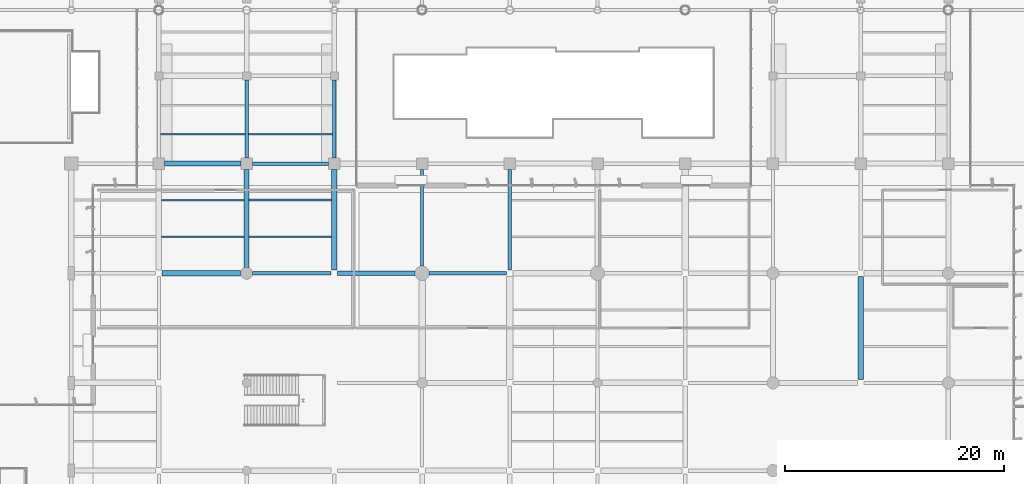
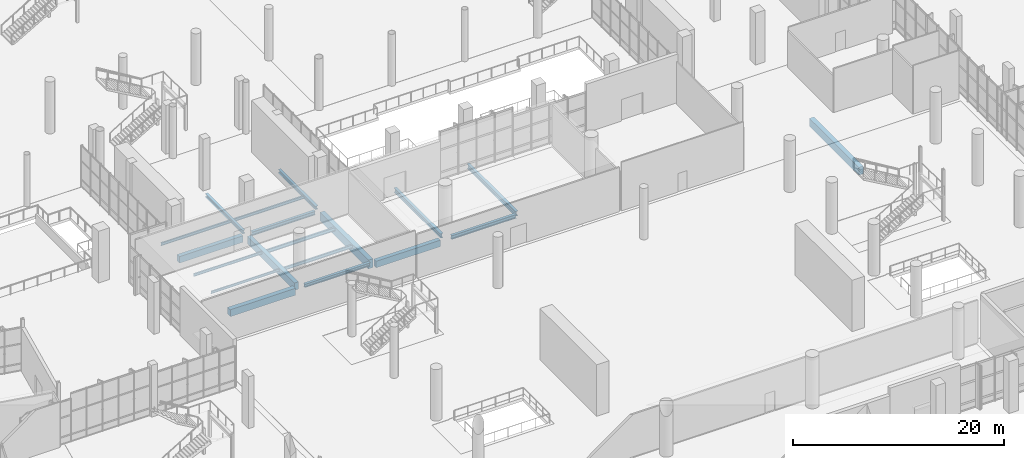
# One storey, part 67 of 163: 19 beams.
"""IFC4 building model written with IfcOpenShell, lengths in metres."""

from ifc_helpers import new_model, si_unit, direction, frame, origin, origin_2d, place, context, subcontext, project, spatial, rectangle, i_section, extrude, material, material_profile, profile_set, type_object, element, save


model = new_model("IFC4")

# Units and contexts
model_context = context("Model", 3, precision=1e-05, world=origin(), true_north=direction((0.0, 1.0)))
body_context = subcontext(model_context, "Body", "Model", "MODEL_VIEW")
ifc_project = project(units=[si_unit("LENGTHUNIT", "METRE"), si_unit("AREAUNIT", "SQUARE_METRE"), si_unit("VOLUMEUNIT", "CUBIC_METRE"), si_unit("PLANEANGLEUNIT", "RADIAN"), si_unit("MASSUNIT", "GRAM", prefix="KILO")], contexts=[model_context])

# Site, building, storey
site_placement = place(None, origin())
site = spatial("IfcSite", under=ifc_project, at=site_placement, CompositionType="ELEMENT")
building_placement = place(site_placement, origin())
building = spatial("IfcBuilding", under=site, at=building_placement, Name="Khorjan Park Terminus", CompositionType="ELEMENT")
storey_placement = place(building_placement, origin())
storey = spatial("IfcBuildingStorey", under=building, at=storey_placement, Name="L00", CompositionType="ELEMENT", Elevation=0.0)

# Beams
ifc_material_1 = material(Name="Steel S355", Category="steel")
ifc_material_profile_1 = material_profile(ifc_material_1, i_section(OverallWidth=0.3, OverallDepth=0.39, WebThickness=0.011, FlangeThickness=0.019, FilletRadius=0.027, at=origin_2d()), Name="HEA 400")
ifc_profile_set_1 = profile_set([ifc_material_profile_1], Name="Steel S355")
beam_type_1 = type_object("IfcBeamType", Name="BM-HEA400", PredefinedType="BEAM", material=ifc_profile_set_1)
beam_1_placement = place(storey_placement, frame((64.545, 78.0, -0.555), z_axis=(1.0, 0.0, 0.0), x_axis=(0.0, 1.0, 0.0)))
element("IfcBeam", 1, at=beam_1_placement, inside=storey, type_object=beam_type_1, Name="Primary floor girder SB-A40 (L00)", PredefinedType="BEAM", context=body_context, shape_type="SweptSolid", body=[
    extrude(i_section(OverallWidth=0.3, OverallDepth=0.39, WebThickness=0.011, FlangeThickness=0.019, FilletRadius=0.027, at=origin_2d()), origin(), (0.0, 0.0, 1.0), 7.16),
])
ifc_material_profile_2 = material_profile(ifc_material_1, i_section(OverallWidth=0.3, OverallDepth=0.44, WebThickness=0.0115, FlangeThickness=0.021, FilletRadius=0.027, at=origin_2d()), Name="HEA 450")
ifc_profile_set_2 = profile_set([ifc_material_profile_2], Name="Steel S355")
beam_type_2 = type_object("IfcBeamType", Name="BM-HEA450", PredefinedType="BEAM", material=ifc_profile_set_2)
beam_2_placement = place(storey_placement, frame((80.645, 78.0, -0.58), z_axis=(1.0, 0.0, 0.0), x_axis=(0.0, 1.0, 0.0)))
element("IfcBeam", 2, at=beam_2_placement, inside=storey, type_object=beam_type_2, Name="Primary floor girder SB-A45 (L00)", PredefinedType="BEAM", context=body_context, shape_type="SweptSolid", body=[
    extrude(i_section(OverallWidth=0.3, OverallDepth=0.44, WebThickness=0.0115, FlangeThickness=0.021, FilletRadius=0.027, at=origin_2d()), origin(), (0.0, 0.0, 1.0), 7.06),
])
beam_3_placement = place(storey_placement, frame((64.52, 88.0, -0.58), z_axis=(1.0, 0.0, 0.0), x_axis=(0.0, 1.0, 0.0)))
element("IfcBeam", 3, at=beam_3_placement, inside=storey, type_object=beam_type_2, Name="Primary floor girder SB-A45 (L00)", PredefinedType="BEAM", context=body_context, shape_type="SweptSolid", body=[
    extrude(i_section(OverallWidth=0.3, OverallDepth=0.44, WebThickness=0.0115, FlangeThickness=0.021, FilletRadius=0.027, at=origin_2d()), origin(), (0.0, 0.0, 1.0), 6.96),
])
ifc_material_profile_3 = material_profile(ifc_material_1, i_section(OverallWidth=0.3, OverallDepth=0.4, WebThickness=0.0135, FlangeThickness=0.024, FilletRadius=0.027, at=origin_2d()), Name="HEB 400")
ifc_profile_set_3 = profile_set([ifc_material_profile_3], Name="Steel S355")
beam_type_3 = type_object("IfcBeamType", Name="BM-HEB400", PredefinedType="BEAM", material=ifc_profile_set_3)
for number, where, z_axis, x_axis, name in (
    (4, (64.0, 88.52, -0.56), (0.0, 1.0, 0.0), (-1.0, 0.0, 0.0), "Primary floor girder SB-B40 (L00)"),
    (5, (72.0, 88.52, -0.56), (0.0, 1.0, 0.0), (-1.0, 0.0, 0.0), "Primary floor girder SB-B40 (L00)"),
):
    element("IfcBeam", number, at=place(storey_placement, frame(where, z_axis=z_axis, x_axis=x_axis)), inside=storey, type_object=beam_type_3, Name=name, PredefinedType="BEAM", context=body_context, shape_type="SweptSolid", body=[
        extrude(i_section(OverallWidth=0.3, OverallDepth=0.4, WebThickness=0.0135, FlangeThickness=0.024, FilletRadius=0.027, at=origin_2d()), origin(), (0.0, 0.0, 1.0), 7.11),
    ])
ifc_material_profile_4 = material_profile(ifc_material_1, i_section(OverallWidth=0.3, OverallDepth=0.5, WebThickness=0.0145, FlangeThickness=0.028, FilletRadius=0.027, at=origin_2d()), Name="HEB 500")
ifc_profile_set_4 = profile_set([ifc_material_profile_4], Name="Steel S355")
beam_type_4 = type_object("IfcBeamType", Name="BM-HEB500", PredefinedType="BEAM", material=ifc_profile_set_4)
beam_4_placement = place(storey_placement, frame((80.0, 78.645, -0.61), z_axis=(0.0, 1.0, 0.0), x_axis=(-1.0, 0.0, 0.0)))
element("IfcBeam", 6, at=beam_4_placement, inside=storey, type_object=beam_type_4, Name="Primary floor girder SB-B50 (L00)", PredefinedType="BEAM", context=body_context, shape_type="SweptSolid", body=[
    extrude(i_section(OverallWidth=0.3, OverallDepth=0.5, WebThickness=0.0145, FlangeThickness=0.028, FilletRadius=0.027, at=origin_2d()), origin(), (0.0, 0.0, 1.0), 8.835),
])
ifc_material_profile_5 = material_profile(ifc_material_1, i_section(OverallWidth=0.3, OverallDepth=0.55, WebThickness=0.015, FlangeThickness=0.029, FilletRadius=0.027, at=origin_2d()), Name="HEB 550")
ifc_profile_set_5 = profile_set([ifc_material_profile_5], Name="Steel S355")
beam_type_5 = type_object("IfcBeamType", Name="BM-HEB550", PredefinedType="BEAM", material=ifc_profile_set_5)
beam_5_placement = place(storey_placement, frame((88.0, 78.295, -0.635), z_axis=(0.0, 1.0, 0.0), x_axis=(-1.0, 0.0, 0.0)))
element("IfcBeam", 7, at=beam_5_placement, inside=storey, type_object=beam_type_5, Name="Primary floor girder SB-B55 (L00)", PredefinedType="BEAM", context=body_context, shape_type="SweptSolid", body=[
    extrude(i_section(OverallWidth=0.3, OverallDepth=0.55, WebThickness=0.015, FlangeThickness=0.029, FilletRadius=0.027, at=origin_2d()), origin(), (0.0, 0.0, 1.0), 9.185),
])
ifc_material_2 = material(Name="Concrete C40/50", Category="concrete")
ifc_material_profile_6 = material_profile(ifc_material_2, rectangle(XDim=0.45, YDim=0.75, at=origin_2d()), Name="RC 450x750")
ifc_profile_set_6 = profile_set([ifc_material_profile_6], Name="Concrete C40/50")
beam_type_6 = type_object("IfcBeamType", Name="BM-RC450x750", PredefinedType="BEAM", material=ifc_profile_set_6)
beam_6_placement = place(storey_placement, frame((72.295, 78.0, -0.735), z_axis=(1.0, 0.0, 0.0), x_axis=(0.0, 1.0, 0.0)))
element("IfcBeam", 8, at=beam_6_placement, inside=storey, type_object=beam_type_6, Name="Primary floor girder GB-75 (L00)", PredefinedType="BEAM", context=body_context, shape_type="SweptSolid", body=[
    extrude(rectangle(XDim=0.45, YDim=0.75, at=origin_2d()), origin(), (0.0, 0.0, 1.0), 7.06),
])
beam_7_placement = place(storey_placement, frame((56.52, 88.0, -0.735), z_axis=(1.0, 0.0, 0.0), x_axis=(0.0, 1.0, 0.0)))
element("IfcBeam", 9, at=beam_7_placement, inside=storey, type_object=beam_type_6, Name="Primary floor girder GB-75 (L00)", PredefinedType="BEAM", context=body_context, shape_type="SweptSolid", body=[
    extrude(rectangle(XDim=0.45, YDim=0.75, at=origin_2d()), origin(), (0.0, 0.0, 1.0), 6.96),
])
ifc_material_profile_7 = material_profile(ifc_material_2, rectangle(XDim=0.45, YDim=0.85, at=origin_2d()), Name="RC 450x850")
ifc_profile_set_7 = profile_set([ifc_material_profile_7], Name="Concrete C40/50")
beam_type_7 = type_object("IfcBeamType", Name="BM-RC450x850", PredefinedType="BEAM", material=ifc_profile_set_7)
beam_8_placement = place(storey_placement, frame((64.0, 78.545, -0.785), z_axis=(0.0, 1.0, 0.0), x_axis=(-1.0, 0.0, 0.0)))
element("IfcBeam", 10, at=beam_8_placement, inside=storey, type_object=beam_type_7, Name="Primary floor girder GB-85 (L00)", PredefinedType="BEAM", context=body_context, shape_type="SweptSolid", body=[
    extrude(rectangle(XDim=0.45, YDim=0.85, at=origin_2d()), origin(), (0.0, 0.0, 1.0), 8.935),
])
ifc_material_profile_8 = material_profile(ifc_material_2, rectangle(XDim=0.5, YDim=1.0, at=origin_2d()), Name="RC 500x1000")
ifc_profile_set_8 = profile_set([ifc_material_profile_8], Name="Concrete C40/50")
beam_type_8 = type_object("IfcBeamType", Name="BM-RC500x1000", PredefinedType="BEAM", material=ifc_profile_set_8)
beam_9_placement = place(storey_placement, frame((72.0, 78.295, -0.86), z_axis=(0.0, 1.0, 0.0), x_axis=(-1.0, 0.0, 0.0)))
element("IfcBeam", 11, at=beam_9_placement, inside=storey, type_object=beam_type_8, Name="Primary floor girder GB-10B (L00)", PredefinedType="BEAM", context=body_context, shape_type="SweptSolid", body=[
    extrude(rectangle(XDim=0.5, YDim=1.0, at=origin_2d()), origin(), (0.0, 0.0, 1.0), 9.185),
])
ifc_material_profile_9 = material_profile(ifc_material_2, rectangle(XDim=0.5, YDim=0.8, at=origin_2d()), Name="RC 500x800")
ifc_profile_set_9 = profile_set([ifc_material_profile_9], Name="Concrete C40/50")
beam_type_9 = type_object("IfcBeamType", Name="BM-RC500x800", PredefinedType="BEAM", material=ifc_profile_set_9)
beam_10_placement = place(storey_placement, frame((56.295, 78.0, -0.76), z_axis=(1.0, 0.0, 0.0), x_axis=(0.0, 1.0, 0.0)))
element("IfcBeam", 12, at=beam_10_placement, inside=storey, type_object=beam_type_9, Name="Primary floor girder GB-08 (L00)", PredefinedType="BEAM", context=body_context, shape_type="SweptSolid", body=[
    extrude(rectangle(XDim=0.5, YDim=0.8, at=origin_2d()), origin(), (0.0, 0.0, 1.0), 7.16),
])
ifc_material_profile_10 = material_profile(ifc_material_2, rectangle(XDim=0.5, YDim=0.9, at=origin_2d()), Name="RC 500x900")
ifc_profile_set_10 = profile_set([ifc_material_profile_10], Name="Concrete C40/50")
beam_type_10 = type_object("IfcBeamType", Name="BM-RC500x900", PredefinedType="BEAM", material=ifc_profile_set_10)
beam_11_placement = place(storey_placement, frame((120.0, 68.295, -0.8), z_axis=(0.0, 1.0, 0.0), x_axis=(-1.0, 0.0, 0.0)))
element("IfcBeam", 13, at=beam_11_placement, inside=storey, type_object=beam_type_10, Name="Primary floor girder GB-09 (L00)", PredefinedType="BEAM", context=body_context, shape_type="SweptSolid", body=[
    extrude(rectangle(XDim=0.5, YDim=0.9, at=origin_2d()), origin(), (0.0, 0.0, 1.0), 9.41),
])
ifc_material_profile_11 = material_profile(ifc_material_1, i_section(OverallWidth=0.135, OverallDepth=0.27, WebThickness=0.0066, FlangeThickness=0.0102, FilletRadius=0.015, at=origin_2d()), Name="IPE 270")
ifc_profile_set_11 = profile_set([ifc_material_profile_11], Name="Steel S355")
beam_type_11 = type_object("IfcBeamType", Name="JS-IPE270", PredefinedType="JOIST", material=ifc_profile_set_11)
beam_12_placement = place(storey_placement, frame((56.25, 81.3333, -0.495), z_axis=(1.0, 0.0, 0.0), x_axis=(0.0, 1.0, 0.0)))
element("IfcBeam", 14, at=beam_12_placement, inside=storey, type_object=beam_type_11, Name="Secondary composite floor joist SJ-27 (L00)", PredefinedType="JOIST", context=body_context, shape_type="SweptSolid", body=[
    extrude(i_section(OverallWidth=0.135, OverallDepth=0.27, WebThickness=0.0066, FlangeThickness=0.0102, FilletRadius=0.015, at=origin_2d()), origin(), (0.0, 0.0, 1.0), 7.525),
])
ifc_material_profile_12 = material_profile(ifc_material_1, i_section(OverallWidth=0.15, OverallDepth=0.3, WebThickness=0.0071, FlangeThickness=0.0107, FilletRadius=0.015, at=origin_2d()), Name="IPE 300")
ifc_profile_set_12 = profile_set([ifc_material_profile_12], Name="Steel S355")
beam_type_12 = type_object("IfcBeamType", Name="JS-IPE300", PredefinedType="JOIST", material=ifc_profile_set_12)
beam_13_placement = place(storey_placement, frame((56.25, 84.6667, -0.51), z_axis=(1.0, 0.0, 0.0), x_axis=(0.0, 1.0, 0.0)))
element("IfcBeam", 15, at=beam_13_placement, inside=storey, type_object=beam_type_12, Name="Secondary composite floor joist SJ-30 (L00)", PredefinedType="JOIST", context=body_context, shape_type="SweptSolid", body=[
    extrude(i_section(OverallWidth=0.15, OverallDepth=0.3, WebThickness=0.0071, FlangeThickness=0.0107, FilletRadius=0.015, at=origin_2d()), origin(), (0.0, 0.0, 1.0), 7.525),
])
ifc_material_profile_13 = material_profile(ifc_material_1, i_section(OverallWidth=0.16, OverallDepth=0.33, WebThickness=0.0075, FlangeThickness=0.0115, FilletRadius=0.018, at=origin_2d()), Name="IPE 330")
ifc_profile_set_13 = profile_set([ifc_material_profile_13], Name="Steel S355")
beam_type_13 = type_object("IfcBeamType", Name="JS-IPE330", PredefinedType="JOIST", material=ifc_profile_set_13)
for number, where, z_axis, x_axis, name in (
    (16, (56.15, 90.6667, -0.525), (1.0, 0.0, 0.0), (0.0, 1.0, 0.0), "Secondary composite floor joist SJ-33 (L00)"),
    (17, (64.15, 90.6667, -0.525), (1.0, 0.0, 0.0), (0.0, 1.0, 0.0), "Secondary composite floor joist SJ-33 (L00)"),
):
    element("IfcBeam", number, at=place(storey_placement, frame(where, z_axis=z_axis, x_axis=x_axis)), inside=storey, type_object=beam_type_13, Name=name, PredefinedType="JOIST", context=body_context, shape_type="SweptSolid", body=[
        extrude(i_section(OverallWidth=0.16, OverallDepth=0.33, WebThickness=0.0075, FlangeThickness=0.0115, FilletRadius=0.018, at=origin_2d()), origin(), (0.0, 0.0, 1.0), 7.7),
    ])
ifc_material_profile_14 = material_profile(ifc_material_1, i_section(OverallWidth=0.17, OverallDepth=0.36, WebThickness=0.008, FlangeThickness=0.0127, FilletRadius=0.018, at=origin_2d()), Name="IPE 360")
ifc_profile_set_14 = profile_set([ifc_material_profile_14], Name="Steel S355")
beam_type_14 = type_object("IfcBeamType", Name="JS-IPE360", PredefinedType="JOIST", material=ifc_profile_set_14)
beam_14_placement = place(storey_placement, frame((64.225, 81.3333, -0.54), z_axis=(1.0, 0.0, 0.0), x_axis=(0.0, 1.0, 0.0)))
element("IfcBeam", 18, at=beam_14_placement, inside=storey, type_object=beam_type_14, Name="Secondary composite floor joist SJ-36 (L00)", PredefinedType="JOIST", context=body_context, shape_type="SweptSolid", body=[
    extrude(i_section(OverallWidth=0.17, OverallDepth=0.36, WebThickness=0.008, FlangeThickness=0.0127, FilletRadius=0.018, at=origin_2d()), origin(), (0.0, 0.0, 1.0), 7.525),
])
ifc_material_profile_15 = material_profile(ifc_material_1, i_section(OverallWidth=0.18, OverallDepth=0.4, WebThickness=0.0086, FlangeThickness=0.0135, FilletRadius=0.021, at=origin_2d()), Name="IPE 400")
ifc_profile_set_15 = profile_set([ifc_material_profile_15], Name="Steel S355")
beam_type_15 = type_object("IfcBeamType", Name="JS-IPE400", PredefinedType="JOIST", material=ifc_profile_set_15)
beam_15_placement = place(storey_placement, frame((64.225, 84.6667, -0.56), z_axis=(1.0, 0.0, 0.0), x_axis=(0.0, 1.0, 0.0)))
element("IfcBeam", 19, at=beam_15_placement, inside=storey, type_object=beam_type_15, Name="Secondary composite floor joist SJ-40 (L00)", PredefinedType="JOIST", context=body_context, shape_type="SweptSolid", body=[
    extrude(i_section(OverallWidth=0.18, OverallDepth=0.4, WebThickness=0.0086, FlangeThickness=0.0135, FilletRadius=0.021, at=origin_2d()), origin(), (0.0, 0.0, 1.0), 7.525),
])

save(model, "model.ifc")
